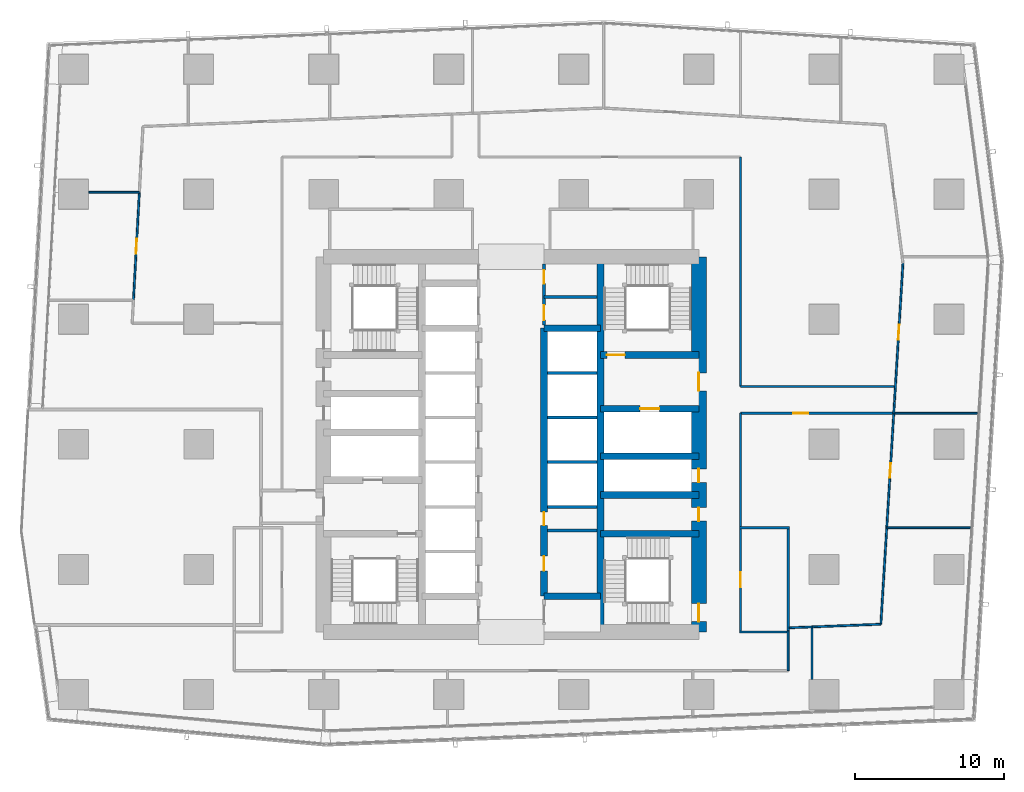
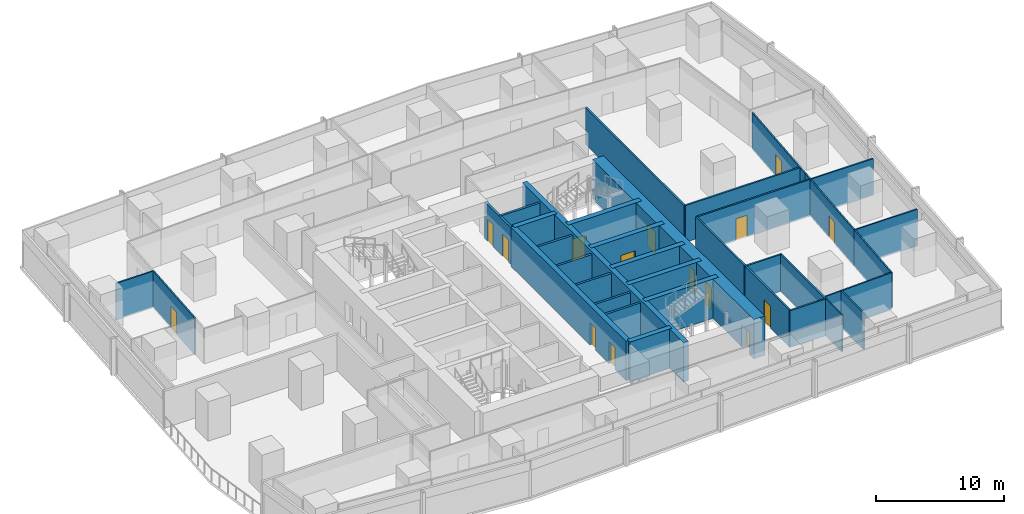
# One storey, part 27 of 36: 37 walls, 15 doors, 15 openings.
"""IFC4 building model written with IfcOpenShell, lengths in metres."""

import ifcopenshell
import ifcopenshell.guid

model = None  # the IFC model being written
_history = None  # IfcOwnerHistory: only IFC2X3 demands one
_inside = {}  # id of a spatial element -> (the spatial element, [elements in it])
_under = {}  # id of a project, library or spatial element -> (it, [spatial elements below it])
_declared = {}  # id of a project -> (the project, [libraries it declares])
_typed = {}  # id of a type object -> (the type object, [elements of that type])
_made_of = {}  # id of a material, layer set ... -> (it, [elements and type objects made of it])


def new_model(schema):
    """Start an empty IFC model of exactly this schema.

    Asked for "IFC4X3", IfcOpenShell would pick the latest addendum, in which some entities
    have other attributes; the version numbers below select the first issue.
    IFC2X3 requires an IfcOwnerHistory on every rooted entity: one is made here for all.
    """
    global model, _history
    if schema == "IFC4X3":
        model = ifcopenshell.file(schema_version=(4, 3, 0, 0))
    else:
        model = ifcopenshell.file(schema=schema)
    _inside.clear()
    _under.clear()
    _declared.clear()
    _typed.clear()
    _made_of.clear()
    _history = None
    if model.schema == "IFC2X3":
        org = make("IfcOrganization", Name="unknown")
        user = make(
            "IfcPersonAndOrganization",
            ThePerson=make("IfcPerson", FamilyName="unknown"),
            TheOrganization=org,
        )
        app = make(
            "IfcApplication",
            ApplicationDeveloper=org,
            Version="unknown",
            ApplicationFullName="unknown",
            ApplicationIdentifier="unknown",
        )
        _history = make(
            "IfcOwnerHistory",
            OwningUser=user,
            OwningApplication=app,
            ChangeAction="ADDED",
            CreationDate=0,
        )
    return model


def make(cls, **values):
    """One entity of the class cls with the attributes given. An attribute that is None is left unset."""
    return model.create_entity(
        cls, **{name: value for name, value in values.items() if value is not None}
    )


def rooted(cls, **values):
    """An entity with a GlobalId (a new one), such as an element, a storey or a relation."""
    return make(cls, GlobalId=ifcopenshell.guid.new(), OwnerHistory=_history, **values)


def si_unit(unit_type, name, prefix=None):
    """IfcSIUnit, for example si_unit("LENGTHUNIT", "METRE", prefix="MILLI")."""
    return make("IfcSIUnit", UnitType=unit_type, Prefix=prefix, Name=name)


def assignment(units):
    """IfcUnitAssignment: the units of a project."""
    return None if units is None else make("IfcUnitAssignment", Units=units)


def point(xyz):
    """IfcCartesianPoint."""
    return None if xyz is None else make("IfcCartesianPoint", Coordinates=xyz)


def direction(xyz):
    """IfcDirection."""
    return None if xyz is None else make("IfcDirection", DirectionRatios=xyz)


def frame(location, z_axis=None, x_axis=None):
    """IfcAxis2Placement3D, a coordinate frame: its origin and axes. An axis left out is left unset."""
    return make(
        "IfcAxis2Placement3D",
        Location=point(location),
        Axis=direction(z_axis),
        RefDirection=direction(x_axis),
    )


def frame_2d(location, x_axis=None):
    """IfcAxis2Placement2D, a coordinate frame in the plane: its origin and x axis."""
    return make(
        "IfcAxis2Placement2D", Location=point(location), RefDirection=direction(x_axis)
    )


def origin():
    """The frame at (0, 0, 0) with its axes left unset."""
    return frame((0.0, 0.0, 0.0))


def place(relative_to, where):
    """IfcLocalPlacement: puts the frame where relative to a parent placement (None: the world)."""
    return make(
        "IfcLocalPlacement", PlacementRelTo=relative_to, RelativePlacement=where
    )


def context(
    kind, dimensions, precision=None, world=None, true_north=None, identifier=None
):
    """IfcGeometricRepresentationContext, for example the 3D "Model" context."""
    return make(
        "IfcGeometricRepresentationContext",
        ContextIdentifier=identifier,
        ContextType=kind,
        CoordinateSpaceDimension=dimensions,
        Precision=precision,
        WorldCoordinateSystem=world,
        TrueNorth=true_north,
    )


def subcontext(parent, identifier, kind, view, scale=None):
    """IfcGeometricRepresentationSubContext, for example "Body" below "Model"."""
    return make(
        "IfcGeometricRepresentationSubContext",
        ContextIdentifier=identifier,
        ContextType=kind,
        ParentContext=parent,
        TargetScale=scale,
        TargetView=view,
    )


def project(units=None, contexts=None):
    """IfcProject with its units and contexts."""
    return rooted(
        "IfcProject",
        Name="project",
        RepresentationContexts=contexts,
        UnitsInContext=assignment(units),
    )


def spatial(cls, under=None, at=None, **own):
    """A site, building, storey or space (cls), placed at a placement, below another one or the project."""
    s = rooted(cls, ObjectPlacement=at, **own)
    if under is not None:
        _under.setdefault(under.id(), (under, []))[1].append(s)
    return s


def profile(cls, at=None, kind="AREA", **sizes):
    """A parametric profile (cls). Its sizes go by their IFC names, for example OverallWidth=200.0."""
    return make(cls, ProfileType=kind, Position=at, **sizes)


def rectangle(**sizes):
    """IfcRectangleProfileDef."""
    return profile("IfcRectangleProfileDef", **sizes)


def extrude(swept, where, along, depth):
    """IfcExtrudedAreaSolid: the profile swept, set in the frame where, extruded along a direction by depth."""
    return make(
        "IfcExtrudedAreaSolid",
        SweptArea=swept,
        Position=where,
        ExtrudedDirection=direction(along),
        Depth=depth,
    )


def shape(context_of_items, identifier, shape_type, items):
    """IfcShapeRepresentation: the items that make up one representation, for example the "Body"."""
    return make(
        "IfcShapeRepresentation",
        ContextOfItems=context_of_items,
        RepresentationIdentifier=identifier,
        RepresentationType=shape_type,
        Items=items,
    )


def material(Name=None, Category=None):
    """IfcMaterial."""
    return make("IfcMaterial", Name=Name, Category=Category)


def layer(
    of_material, thickness, ventilated=None, Name=None, Category=None, Priority=None
):
    """IfcMaterialLayer: one layer of a wall or slab, of a material (None: an air gap)."""
    return make(
        "IfcMaterialLayer",
        Material=of_material,
        LayerThickness=thickness,
        IsVentilated=ventilated,
        Name=Name,
        Category=Category,
        Priority=Priority,
    )


def layer_set(layers, Name=None):
    """IfcMaterialLayerSet."""
    return make("IfcMaterialLayerSet", MaterialLayers=layers, LayerSetName=Name)


def made_of(thing, what):
    """Note that an element or type object is made of a material, layer set ...; save() writes the relation."""
    if what is not None:
        _made_of.setdefault(what.id(), (what, []))[1].append(thing)
    return thing


def type_object(cls, material=None, **own):
    """A type object (cls), such as IfcWallType, which elements share."""
    return made_of(rooted(cls, **own), material)


def element(
    cls,
    number,
    at=None,
    inside=None,
    cuts=None,
    type_object=None,
    material=None,
    context=None,
    identifier="Body",
    shape_type=None,
    held_by="IfcProductDefinitionShape",
    body=None,
    shapes=None,
    **own,
):
    """One element of the class cls, such as IfcWall. Its Tag is "e" and its number.

    at: its placement. inside: the storey or other place that contains it. cuts: it is an
    opening in that element (IfcRelVoidsElement). A single representation is given by context,
    identifier, shape_type and body (its items); several are given by shapes. held_by: the class
    of the entity that holds the representations. save() writes the other relations.
    """
    e = rooted(cls, Tag="e%d" % number, ObjectPlacement=at, **own)
    if body is not None:
        shapes = [shape(context, identifier, shape_type, body)]
    if shapes is not None:
        e.Representation = make(held_by, Representations=shapes)
    if inside is not None:
        _inside.setdefault(inside.id(), (inside, []))[1].append(e)
    if cuts is not None:
        rooted(
            "IfcRelVoidsElement", RelatingBuildingElement=cuts, RelatedOpeningElement=e
        )
    if type_object is not None:
        _typed.setdefault(type_object.id(), (type_object, []))[1].append(e)
    return made_of(e, material)


def fill(opening, filler):
    """IfcRelFillsElement: the door or window that sits in an opening."""
    return rooted(
        "IfcRelFillsElement",
        RelatingOpeningElement=opening,
        RelatedBuildingElement=filler,
    )


def aggregate(whole, parts):
    """IfcRelAggregates: a whole, such as a stair, and the parts it consists of."""
    return rooted("IfcRelAggregates", RelatingObject=whole, RelatedObjects=parts)


def save(model, path):
    """Write the relations noted so far, then the file.

    IfcRelAggregates (storeys below a building ...), IfcRelContainedInSpatialStructure (elements
    in a storey), IfcRelDefinesByType, IfcRelAssociatesMaterial and IfcRelDeclares: one each for
    every whole, place, type object, material and project.
    """
    for whole, parts in _under.values():
        aggregate(whole, parts)
    for where, things in _inside.values():
        rooted(
            "IfcRelContainedInSpatialStructure",
            RelatedElements=things,
            RelatingStructure=where,
        )
    for kind, things in _typed.values():
        rooted("IfcRelDefinesByType", RelatedObjects=things, RelatingType=kind)
    for what, things in _made_of.values():
        rooted("IfcRelAssociatesMaterial", RelatedObjects=things, RelatingMaterial=what)
    for by, libraries in _declared.values():
        rooted("IfcRelDeclares", RelatingContext=by, RelatedDefinitions=libraries)
    model.write(path)


model = new_model("IFC4")

# Units and contexts
model_context = context("Model", 3, precision=1e-05, world=origin(), true_north=direction((0.0, 1.0)))
body_context = subcontext(model_context, "Body", "Model", "MODEL_VIEW")
ifc_project = project(units=[si_unit("LENGTHUNIT", "METRE"), si_unit("AREAUNIT", "SQUARE_METRE"), si_unit("VOLUMEUNIT", "CUBIC_METRE"), si_unit("PLANEANGLEUNIT", "RADIAN"), si_unit("MASSUNIT", "GRAM", prefix="KILO")], contexts=[model_context])

# Site, building, storey
site_placement = place(None, origin())
site = spatial("IfcSite", under=ifc_project, at=site_placement, CompositionType="ELEMENT")
building_placement = place(site_placement, origin())
building = spatial("IfcBuilding", under=site, at=building_placement, Name="Rekha Terrace Tower", CompositionType="ELEMENT")
storey_placement = place(building_placement, frame((0.0, 0.0, 144.050048828125)))
storey = spatial("IfcBuildingStorey", under=building, at=storey_placement, Name="L36", CompositionType="ELEMENT", Elevation=144.050048828125)

# Wall
ifc_material_1 = material(Name="Concrete M70", Category="concrete")
ifc_layer_1 = layer(ifc_material_1, 0.449951171875)
ifc_layer_set_1 = layer_set([ifc_layer_1], Name="Concrete M70")
wall_type_1 = type_object("IfcWallType", Name="CI2 450 core internal shear wall", PredefinedType="SHEAR", material=ifc_layer_set_1)
wall_1_placement = place(storey_placement, frame((43.800048828125, 21.0, 0.0), z_axis=(0.0, 0.0, 1.0), x_axis=(0.0, 1.0, 0.0)))
element("IfcWall", 1, at=wall_1_placement, inside=storey, type_object=wall_type_1, Name="Core wall X438 L36", PredefinedType="SHEAR", context=body_context, shape_type="SweptSolid", body=[
    extrude(rectangle(XDim=25.199951171875, YDim=0.449951171875, at=frame_2d((12.60009765625, 0.0))), origin(), (0.0, 0.0, 1.0), 3.75),
])

# Wall, openings, doors
wall_2_placement = place(storey_placement, frame((40.0, 23.39990234375, 0.0), z_axis=(0.0, 0.0, 1.0), x_axis=(0.0, 1.0, 0.0)))
wall_2 = element("IfcWall", 2, at=wall_2_placement, inside=storey, type_object=wall_type_1, Name="Core wall X400 L36", PredefinedType="SHEAR", context=body_context, shape_type="SweptSolid", body=[
    extrude(rectangle(XDim=18.0, YDim=0.449951171875, at=frame_2d((9.0, 0.0))), origin(), (0.0, 0.0, 1.0), 3.75),
])
opening_1_placement = place(wall_2_placement, frame((1.699951171875, 0.0, 0.0)))
opening_1 = element("IfcOpeningElement", 3, at=opening_1_placement, cuts=wall_2, Name="Opening D3", PredefinedType="OPENING", context=body_context, shape_type="SweptSolid", body=[
    extrude(rectangle(XDim=1.0, YDim=2.10009765625, at=frame_2d((0.5, 1.050048828125))), frame((0.0, 0.23486328125, 0.0), z_axis=(0.0, -1.0, 0.0), x_axis=(1.0, 0.0, 0.0)), (0.0, 0.0, 1.0), 0.469970703125),
])
opening_2_placement = place(wall_2_placement, frame((4.75, 0.0, 0.0)))
opening_2 = element("IfcOpeningElement", 4, at=opening_2_placement, cuts=wall_2, Name="Opening D5", PredefinedType="OPENING", context=body_context, shape_type="SweptSolid", body=[
    extrude(rectangle(XDim=0.89990234375, YDim=2.10009765625, at=frame_2d((0.449951171875, 1.050048828125))), frame((0.0, 0.23486328125, 0.0), z_axis=(0.0, -1.0, 0.0), x_axis=(1.0, 0.0, 0.0)), (0.0, 0.0, 1.0), 0.469970703125),
])
ifc_material_2 = material(Name="Laminated timber fire door", Category="wood")
door_type_1 = type_object("IfcDoorType", Name="D3 1000x2100 WC door", OperationType="SINGLE_SWING_LEFT", PredefinedType="DOOR", material=ifc_material_2)
door_1_placement = place(opening_1_placement, origin())
door_1 = element("IfcDoor", 5, at=door_1_placement, inside=storey, type_object=door_type_1, Name="Door staff wc L36", OperationType="SINGLE_SWING_LEFT", OverallHeight=2.10009765625, OverallWidth=1.0, PredefinedType="DOOR", context=body_context, shape_type="SweptSolid", body=[
    extrude(rectangle(XDim=1.0, YDim=2.10009765625, at=frame_2d((0.5, 1.050048828125))), frame((0.0, 0.02490234375, 0.0), z_axis=(0.0, -1.0, 0.0), x_axis=(1.0, 0.0, 0.0)), (0.0, 0.0, 1.0), 0.050048828125),
])
fill(opening_1, door_1)
ifc_material_3 = material(Name="Steel fire door", Category="steel")
door_type_2 = type_object("IfcDoorType", Name="D5 900x2100 riser access door", OperationType="SINGLE_SWING_LEFT", PredefinedType="DOOR", material=ifc_material_3)
door_2_placement = place(opening_2_placement, origin())
door_2 = element("IfcDoor", 6, at=door_2_placement, inside=storey, type_object=door_type_2, Name="Door records store L36", OperationType="SINGLE_SWING_LEFT", OverallHeight=2.10009765625, OverallWidth=0.89990234375, PredefinedType="DOOR", context=body_context, shape_type="SweptSolid", body=[
    extrude(rectangle(XDim=0.89990234375, YDim=2.10009765625, at=frame_2d((0.449951171875, 1.050048828125))), frame((0.0, 0.02490234375, 0.0), z_axis=(0.0, -1.0, 0.0), x_axis=(1.0, 0.0, 0.0)), (0.0, 0.0, 1.0), 0.050048828125),
])
fill(opening_2, door_2)

# Walls
for number, where, z_axis, x_axis, name in (
    (7, (40.0, 23.39990234375, 0.0), (0.0, 0.0, 1.0), (1.0, 0.0, 0.0), "Core wall Y234E L36"),
    (8, (40.0, 41.39990234375, 0.0), (0.0, 0.0, 1.0), (1.0, 0.0, 0.0), "Core wall Y414E L36"),
):
    element("IfcWall", number, at=place(storey_placement, frame(where, z_axis=z_axis, x_axis=x_axis)), inside=storey, type_object=wall_type_1, Name=name, PredefinedType="SHEAR", context=body_context, shape_type="SweptSolid", body=[
        extrude(rectangle(XDim=3.800048828125, YDim=0.449951171875, at=frame_2d((1.89990234375, 0.0))), origin(), (0.0, 0.0, 1.0), 3.75),
    ])
for number, where, z_axis, x_axis, name in (
    (9, (43.800048828125, 27.60009765625, 0.0), (0.0, 0.0, 1.0), (1.0, 0.0, 0.0), "Core wall Y276E L36"),
    (10, (43.800048828125, 30.199951171875, 0.0), (0.0, 0.0, 1.0), (1.0, 0.0, 0.0), "Core wall Y302E L36"),
    (11, (43.800048828125, 32.800048828125, 0.0), (0.0, 0.0, 1.0), (1.0, 0.0, 0.0), "Core wall Y328E L36"),
):
    element("IfcWall", number, at=place(storey_placement, frame(where, z_axis=z_axis, x_axis=x_axis)), inside=storey, type_object=wall_type_1, Name=name, PredefinedType="SHEAR", context=body_context, shape_type="SweptSolid", body=[
        extrude(rectangle(XDim=6.599853515625, YDim=0.449951171875, at=frame_2d((3.2998046875, 0.0))), origin(), (0.0, 0.0, 1.0), 3.75),
    ])

# Wall, opening, door
wall_3_placement = place(storey_placement, frame((43.800048828125, 36.0, 0.0), z_axis=(0.0, 0.0, 1.0), x_axis=(1.0, 0.0, 0.0)))
wall_3 = element("IfcWall", 12, at=wall_3_placement, inside=storey, type_object=wall_type_1, Name="Core wall Y360E L36", PredefinedType="SHEAR", context=body_context, shape_type="SweptSolid", body=[
    extrude(rectangle(XDim=6.599853515625, YDim=0.449951171875, at=frame_2d((3.2998046875, 0.0))), origin(), (0.0, 0.0, 1.0), 3.75),
])
opening_3_placement = place(wall_3_placement, frame((2.64990234375, 0.0, 0.0)))
opening_3 = element("IfcOpeningElement", 13, at=opening_3_placement, cuts=wall_3, Name="Opening LD2", PredefinedType="OPENING", context=body_context, shape_type="SweptSolid", body=[
    extrude(rectangle(XDim=1.300048828125, YDim=2.10009765625, at=frame_2d((0.64990234375, 1.050048828125))), frame((0.0, 0.23486328125, 0.0), z_axis=(0.0, -1.0, 0.0), x_axis=(1.0, 0.0, 0.0)), (0.0, 0.0, 1.0), 0.469970703125),
])
ifc_material_4 = material(Name="Stainless steel sliding landing door", Category="steel")
door_type_3 = type_object("IfcDoorType", Name="LD2 1300x2100 fire lift landing door", OperationType="SLIDING_TO_LEFT", PredefinedType="USERDEFINED", material=ifc_material_4)
door_3_placement = place(opening_3_placement, origin())
door_3 = element("IfcDoor", 14, at=door_3_placement, inside=storey, type_object=door_type_3, Name="Lift FL2 landing door L36", ObjectType="LIFT LANDING DOOR", OperationType="SLIDING_TO_LEFT", OverallHeight=2.10009765625, OverallWidth=1.300048828125, PredefinedType="USERDEFINED", context=body_context, shape_type="SweptSolid", body=[
    extrude(rectangle(XDim=1.300048828125, YDim=2.10009765625, at=frame_2d((0.64990234375, 1.050048828125))), frame((0.0, 0.02490234375, 0.0), z_axis=(0.0, -1.0, 0.0), x_axis=(1.0, 0.0, 0.0)), (0.0, 0.0, 1.0), 0.050048828125),
])
fill(opening_3, door_3)

wall_4_placement = place(storey_placement, frame((43.800048828125, 39.60009765625, 0.0), z_axis=(0.0, 0.0, 1.0), x_axis=(1.0, 0.0, 0.0)))
wall_4 = element("IfcWall", 15, at=wall_4_placement, inside=storey, type_object=wall_type_1, Name="Core wall Y396E L36", PredefinedType="SHEAR", context=body_context, shape_type="SweptSolid", body=[
    extrude(rectangle(XDim=6.599853515625, YDim=0.449951171875, at=frame_2d((3.2998046875, 0.0))), origin(), (0.0, 0.0, 1.0), 3.75),
])
opening_4_placement = place(wall_4_placement, frame((0.425048828125, 0.0, 0.0)))
opening_4 = element("IfcOpeningElement", 16, at=opening_4_placement, cuts=wall_4, Name="Opening D1", PredefinedType="OPENING", context=body_context, shape_type="SweptSolid", body=[
    extrude(rectangle(XDim=1.199951171875, YDim=2.10009765625, at=frame_2d((0.60009765625, 1.050048828125))), frame((0.0, 0.23486328125, 0.0), z_axis=(0.0, -1.0, 0.0), x_axis=(1.0, 0.0, 0.0)), (0.0, 0.0, 1.0), 0.469970703125),
])
door_type_4 = type_object("IfcDoorType", Name="D1 1200x2100 stair fire door", OperationType="SINGLE_SWING_RIGHT", PredefinedType="DOOR", material=ifc_material_3)
door_4_placement = place(opening_4_placement, origin())
door_4 = element("IfcDoor", 17, at=door_4_placement, inside=storey, type_object=door_type_4, Name="Stair ST2 door L36", OperationType="SINGLE_SWING_RIGHT", OverallHeight=2.10009765625, OverallWidth=1.199951171875, PredefinedType="DOOR", context=body_context, shape_type="SweptSolid", body=[
    extrude(rectangle(XDim=1.199951171875, YDim=2.10009765625, at=frame_2d((0.60009765625, 1.050048828125))), frame((0.0, 0.02490234375, 0.0), z_axis=(0.0, -1.0, 0.0), x_axis=(1.0, 0.0, 0.0)), (0.0, 0.0, 1.0), 0.050048828125),
])
fill(opening_4, door_4)

# Wall, openings, doors
ifc_layer_2 = layer(ifc_material_1, 1.0)
ifc_layer_set_2 = layer_set([ifc_layer_2], Name="Concrete M70")
wall_type_2 = type_object("IfcWallType", Name="SW2 1000 core outer shear wall", PredefinedType="SHEAR", material=ifc_layer_set_2)
wall_5_placement = place(storey_placement, frame((50.39990234375, 21.0, 0.0), z_axis=(0.0, 0.0, 1.0), x_axis=(0.0, 1.0, 0.0)))
wall_5 = element("IfcWall", 18, at=wall_5_placement, inside=storey, type_object=wall_type_2, Name="Core wall E L36", PredefinedType="SHEAR", context=body_context, shape_type="SweptSolid", body=[
    extrude(rectangle(XDim=25.199951171875, YDim=1.0, at=frame_2d((12.60009765625, 0.0))), origin(), (0.0, 0.0, 1.0), 3.75),
])
opening_5_placement = place(wall_5_placement, frame((16.199951171875, 0.0, 0.0)))
opening_5 = element("IfcOpeningElement", 19, at=opening_5_placement, cuts=wall_5, Name="Opening D2", PredefinedType="OPENING", context=body_context, shape_type="SweptSolid", body=[
    extrude(rectangle(XDim=1.199951171875, YDim=2.10009765625, at=frame_2d((0.60009765625, 1.050048828125))), frame((0.0, 0.510009765625, 0.0), z_axis=(0.0, -1.0, 0.0), x_axis=(1.0, 0.0, 0.0)), (0.0, 0.0, 1.0), 1.02001953125),
])
opening_6_placement = place(wall_5_placement, frame((10.050048828125, 0.0, 0.0)))
opening_6 = element("IfcOpeningElement", 20, at=opening_6_placement, cuts=wall_5, Name="Opening D5", PredefinedType="OPENING", context=body_context, shape_type="SweptSolid", body=[
    extrude(rectangle(XDim=0.89990234375, YDim=2.10009765625, at=frame_2d((0.449951171875, 1.050048828125))), frame((0.0, 0.510009765625, 0.0), z_axis=(0.0, -1.0, 0.0), x_axis=(1.0, 0.0, 0.0)), (0.0, 0.0, 1.0), 1.02001953125),
])
opening_7_placement = place(wall_5_placement, frame((7.449951171875, 0.0, 0.0)))
opening_7 = element("IfcOpeningElement", 21, at=opening_7_placement, cuts=wall_5, Name="Opening D5", PredefinedType="OPENING", context=body_context, shape_type="SweptSolid", body=[
    extrude(rectangle(XDim=0.89990234375, YDim=2.10009765625, at=frame_2d((0.449951171875, 1.050048828125))), frame((0.0, 0.510009765625, 0.0), z_axis=(0.0, -1.0, 0.0), x_axis=(1.0, 0.0, 0.0)), (0.0, 0.0, 1.0), 1.02001953125),
])
opening_8_placement = place(wall_5_placement, frame((0.699951171875, 0.0, 0.0)))
opening_8 = element("IfcOpeningElement", 22, at=opening_8_placement, cuts=wall_5, Name="Opening D1", PredefinedType="OPENING", context=body_context, shape_type="SweptSolid", body=[
    extrude(rectangle(XDim=1.199951171875, YDim=2.10009765625, at=frame_2d((0.60009765625, 1.050048828125))), frame((0.0, 0.510009765625, 0.0), z_axis=(0.0, -1.0, 0.0), x_axis=(1.0, 0.0, 0.0)), (0.0, 0.0, 1.0), 1.02001953125),
])
door_5_placement = place(opening_8_placement, origin())
door_5 = element("IfcDoor", 23, at=door_5_placement, inside=storey, type_object=door_type_4, Name="Stair ST3 door L36", OperationType="SINGLE_SWING_RIGHT", OverallHeight=2.10009765625, OverallWidth=1.199951171875, PredefinedType="DOOR", context=body_context, shape_type="SweptSolid", body=[
    extrude(rectangle(XDim=1.199951171875, YDim=2.10009765625, at=frame_2d((0.60009765625, 1.050048828125))), frame((0.0, 0.02490234375, 0.0), z_axis=(0.0, -1.0, 0.0), x_axis=(1.0, 0.0, 0.0)), (0.0, 0.0, 1.0), 0.050048828125),
])
fill(opening_8, door_5)
door_type_5 = type_object("IfcDoorType", Name="D2 1200x2100 firefighting lobby door", OperationType="SINGLE_SWING_LEFT", PredefinedType="DOOR", material=ifc_material_3)
door_6_placement = place(opening_5_placement, origin())
door_6 = element("IfcDoor", 24, at=door_6_placement, inside=storey, type_object=door_type_5, Name="Door flb2 L36", OperationType="SINGLE_SWING_LEFT", OverallHeight=2.10009765625, OverallWidth=1.199951171875, PredefinedType="DOOR", context=body_context, shape_type="SweptSolid", body=[
    extrude(rectangle(XDim=1.199951171875, YDim=2.10009765625, at=frame_2d((0.60009765625, 1.050048828125))), frame((0.0, 0.02490234375, 0.0), z_axis=(0.0, -1.0, 0.0), x_axis=(1.0, 0.0, 0.0)), (0.0, 0.0, 1.0), 0.050048828125),
])
fill(opening_5, door_6)
door_7_placement = place(opening_6_placement, origin())
door_7 = element("IfcDoor", 25, at=door_7_placement, inside=storey, type_object=door_type_2, Name="Door rs2 L36", OperationType="SINGLE_SWING_LEFT", OverallHeight=2.10009765625, OverallWidth=0.89990234375, PredefinedType="DOOR", context=body_context, shape_type="SweptSolid", body=[
    extrude(rectangle(XDim=0.89990234375, YDim=2.10009765625, at=frame_2d((0.449951171875, 1.050048828125))), frame((0.0, 0.02490234375, 0.0), z_axis=(0.0, -1.0, 0.0), x_axis=(1.0, 0.0, 0.0)), (0.0, 0.0, 1.0), 0.050048828125),
])
fill(opening_6, door_7)
door_8_placement = place(opening_7_placement, origin())
door_8 = element("IfcDoor", 26, at=door_8_placement, inside=storey, type_object=door_type_2, Name="Door ele L36", OperationType="SINGLE_SWING_LEFT", OverallHeight=2.10009765625, OverallWidth=0.89990234375, PredefinedType="DOOR", context=body_context, shape_type="SweptSolid", body=[
    extrude(rectangle(XDim=0.89990234375, YDim=2.10009765625, at=frame_2d((0.449951171875, 1.050048828125))), frame((0.0, 0.02490234375, 0.0), z_axis=(0.0, -1.0, 0.0), x_axis=(1.0, 0.0, 0.0)), (0.0, 0.0, 1.0), 0.050048828125),
])
fill(opening_7, door_8)

# Walls
ifc_material_5 = material(Name="Concrete block masonry, 1 hour", Category="masonry")
ifc_layer_3 = layer(ifc_material_5, 0.14990234375)
ifc_layer_set_3 = layer_set([ifc_layer_3], Name="Concrete block masonry, 1 hour")
wall_type_3 = type_object("IfcWallType", Name="WP2 150 tenancy partition", PredefinedType="PARTITIONING", material=ifc_layer_set_3)
for number, where, z_axis, x_axis, name in (
    (27, (53.125, 21.0, 0.0), (0.0, 0.0, 1.0), (1.0, 0.0, 0.0), "Men's WC wall L36"),
    (28, (53.125, 28.0, 0.0), (0.0, 0.0, 1.0), (1.0, 0.0, 0.0), "Men's WC wall L36"),
):
    element("IfcWall", number, at=place(storey_placement, frame(where, z_axis=z_axis, x_axis=x_axis)), inside=storey, type_object=wall_type_3, Name=name, PredefinedType="PARTITIONING", context=body_context, shape_type="SweptSolid", body=[
        extrude(rectangle(XDim=3.35009765625, YDim=0.14990234375, at=frame_2d((1.675048828125, 0.0))), origin(), (0.0, 0.0, 1.0), 3.5),
    ])

# Wall, opening, door
wall_6_placement = place(storey_placement, frame((53.199951171875, 21.074951171875, 0.0), z_axis=(0.0, 0.0, 1.0), x_axis=(0.0, 1.0, 0.0)))
wall_6 = element("IfcWall", 29, at=wall_6_placement, inside=storey, type_object=wall_type_3, Name="Men's WC wall L36", PredefinedType="PARTITIONING", context=body_context, shape_type="SweptSolid", body=[
    extrude(rectangle(XDim=6.85009765625, YDim=0.14990234375, at=frame_2d((3.425048828125, 0.0))), origin(), (0.0, 0.0, 1.0), 3.5),
])
opening_9_placement = place(wall_6_placement, frame((2.925048828125, 0.0, 0.0)))
opening_9 = element("IfcOpeningElement", 30, at=opening_9_placement, cuts=wall_6, Name="Opening D3", PredefinedType="OPENING", context=body_context, shape_type="SweptSolid", body=[
    extrude(rectangle(XDim=1.0, YDim=2.10009765625, at=frame_2d((0.5, 1.050048828125))), frame((0.0, 0.0849609375, 0.0), z_axis=(0.0, -1.0, 0.0), x_axis=(1.0, 0.0, 0.0)), (0.0, 0.0, 1.0), 0.169921875),
])
door_9_placement = place(opening_9_placement, origin())
door_9 = element("IfcDoor", 31, at=door_9_placement, inside=storey, type_object=door_type_1, Name="Door men's wc L36", OperationType="SINGLE_SWING_LEFT", OverallHeight=2.10009765625, OverallWidth=1.0, PredefinedType="DOOR", context=body_context, shape_type="SweptSolid", body=[
    extrude(rectangle(XDim=1.0, YDim=2.10009765625, at=frame_2d((0.5, 1.050048828125))), frame((0.0, 0.02490234375, 0.0), z_axis=(0.0, -1.0, 0.0), x_axis=(1.0, 0.0, 0.0)), (0.0, 0.0, 1.0), 0.050048828125),
])
fill(opening_9, door_9)

# Walls
wall_7_placement = place(storey_placement, frame((56.39990234375, 21.074951171875, 0.0), z_axis=(0.0, 0.0, 1.0), x_axis=(0.0, 1.0, 0.0)))
element("IfcWall", 32, at=wall_7_placement, inside=storey, type_object=wall_type_3, Name="Men's WC wall L36", PredefinedType="PARTITIONING", context=body_context, shape_type="SweptSolid", body=[
    extrude(rectangle(XDim=6.85009765625, YDim=0.14990234375, at=frame_2d((3.425048828125, 0.0))), origin(), (0.0, 0.0, 1.0), 3.5),
])
wall_8_placement = place(storey_placement, frame((63.54296875, 37.489990234375, 0.0), z_axis=(0.0, 0.0, 1.0), x_axis=(-1.0, 0.0, 0.0)))
element("IfcWall", 33, at=wall_8_placement, inside=storey, type_object=wall_type_3, Name="Partition L36-O1", PredefinedType="PARTITIONING", context=body_context, shape_type="SweptSolid", body=[
    extrude(rectangle(XDim=10.343017578125, YDim=0.14990234375, at=frame_2d((5.17138671875, 0.0))), origin(), (0.0, 0.0, 1.0), 3.5),
])
wall_9_placement = place(storey_placement, frame((53.199951171875, 37.489990234375, 0.0), z_axis=(0.0, 0.0, 1.0), x_axis=(0.0, 1.0, 0.0)))
element("IfcWall", 34, at=wall_9_placement, inside=storey, type_object=wall_type_3, Name="Partition L36-O1", PredefinedType="PARTITIONING", context=body_context, shape_type="SweptSolid", body=[
    extrude(rectangle(XDim=15.409912109375, YDim=0.14990234375, at=frame_2d((7.705078125, 0.0))), origin(), (0.0, 0.0, 1.0), 3.5),
])
wall_10_placement = place(storey_placement, frame((58.010009765625, 17.820068359375, 0.0), z_axis=(0.0, 0.0, 1.0), x_axis=(0.0, 1.0, 0.0)))
element("IfcWall", 35, at=wall_10_placement, inside=storey, type_object=wall_type_3, Name="Partition L36-O1b", PredefinedType="PARTITIONING", context=body_context, shape_type="SweptSolid", body=[
    extrude(rectangle(XDim=3.454833984375, YDim=0.14990234375, at=frame_2d((1.7275390625, 0.0))), origin(), (0.0, 0.0, 1.0), 3.5),
])
wall_11_placement = place(storey_placement, frame((53.199951171875, 28.074951171875, 0.0), z_axis=(0.0, 0.0, 1.0), x_axis=(0.0, 1.0, 0.0)))
element("IfcWall", 36, at=wall_11_placement, inside=storey, type_object=wall_type_3, Name="Partition L36-O1b", PredefinedType="PARTITIONING", context=body_context, shape_type="SweptSolid", body=[
    extrude(rectangle(XDim=7.614990234375, YDim=0.14990234375, at=frame_2d((3.8076171875, 0.0))), origin(), (0.0, 0.0, 1.0), 3.5),
])

# Wall, opening, door
wall_12_placement = place(storey_placement, frame((53.199951171875, 35.68994140625, 0.0), z_axis=(0.0, 0.0, 1.0), x_axis=(1.0, 0.0, 0.0)))
wall_12 = element("IfcWall", 37, at=wall_12_placement, inside=storey, type_object=wall_type_3, Name="Partition L36-O1b", PredefinedType="PARTITIONING", context=body_context, shape_type="SweptSolid", body=[
    extrude(rectangle(XDim=10.24609375, YDim=0.14990234375, at=frame_2d((5.123046875, 0.0))), origin(), (0.0, 0.0, 1.0), 3.5),
])
opening_10_placement = place(wall_12_placement, frame((3.547119140625, 0.0, 0.0)))
opening_10 = element("IfcOpeningElement", 38, at=opening_10_placement, cuts=wall_12, Name="Opening D9", PredefinedType="OPENING", context=body_context, shape_type="SweptSolid", body=[
    extrude(rectangle(XDim=1.0, YDim=2.10009765625, at=frame_2d((0.5, 1.050048828125))), frame((0.0, 0.0849609375, 0.0), z_axis=(0.0, -1.0, 0.0), x_axis=(1.0, 0.0, 0.0)), (0.0, 0.0, 1.0), 0.169921875),
])
ifc_material_6 = material(Name="Timber fire door", Category="wood")
door_type_6 = type_object("IfcDoorType", Name="D9 1000x2100 office door", OperationType="SINGLE_SWING_LEFT", PredefinedType="DOOR", material=ifc_material_6)
door_10_placement = place(opening_10_placement, origin())
door_10 = element("IfcDoor", 39, at=door_10_placement, inside=storey, type_object=door_type_6, Name="Door open-plan office L36", OperationType="SINGLE_SWING_LEFT", OverallHeight=2.10009765625, OverallWidth=1.0, PredefinedType="DOOR", context=body_context, shape_type="SweptSolid", body=[
    extrude(rectangle(XDim=1.0, YDim=2.10009765625, at=frame_2d((0.5, 1.050048828125))), frame((0.0, 0.02490234375, 0.0), z_axis=(0.0, -1.0, 0.0), x_axis=(1.0, 0.0, 0.0)), (0.0, 0.0, 1.0), 0.050048828125),
])
fill(opening_10, door_10)

# Walls
ifc_material_7 = material(Name="Two layers of fire-rated gypsum board each side on steel studs, acoustic quilt, 1 hour", Category="steel")
ifc_layer_4 = layer(ifc_material_7, 0.125)
ifc_layer_set_4 = layer_set([ifc_layer_4], Name="Two layers of fire-rated gypsum board each side on steel studs, acoustic quilt, 1 hour")
wall_type_4 = type_object("IfcWallType", Name="WP3 125 office partition", PredefinedType="PARTITIONING", material=ifc_layer_set_4)
wall_13_placement = place(storey_placement, frame((56.39990234375, 18.39990234375, 0.0), z_axis=(0.0, 0.0, 1.0), x_axis=(0.0, 1.0, 0.0)))
element("IfcWall", 40, at=wall_13_placement, inside=storey, type_object=wall_type_4, Name="Partition L36-02", PredefinedType="PARTITIONING", context=body_context, shape_type="SweptSolid", body=[
    extrude(rectangle(XDim=2.674072265625, YDim=0.125, at=frame_2d((1.3369140625, 0.0))), origin(), (0.0, 0.0, 1.0), 3.5),
])
wall_14_placement = place(storey_placement, frame((56.47509765625, 21.278076171875, 0.0), z_axis=(0.0, 0.0, 1.0), x_axis=(0.999243484795, 0.038890334198, 0.0)))
element("IfcWall", 41, at=wall_14_placement, inside=storey, type_object=wall_type_4, Name="Partition L36-02", PredefinedType="PARTITIONING", context=body_context, shape_type="SweptSolid", body=[
    extrude(rectangle(XDim=1.5380859375, YDim=0.125, at=frame_2d((0.76904296875, 0.0))), origin(), (0.0, 0.0, 1.0), 3.5),
])
wall_15_placement = place(storey_placement, frame((58.011962890625, 21.337890625, 0.0), z_axis=(0.0, 0.0, 1.0), x_axis=(0.999246974146, 0.038800575518, 0.0)))
element("IfcWall", 42, at=wall_15_placement, inside=storey, type_object=wall_type_4, Name="Partition L36-02", PredefinedType="PARTITIONING", context=body_context, shape_type="SweptSolid", body=[
    extrude(rectangle(XDim=4.618408203125, YDim=0.125, at=frame_2d((2.30908203125, 0.0))), origin(), (0.0, 0.0, 1.0), 3.5),
])
wall_16_placement = place(storey_placement, frame((62.626953125, 21.51708984375, 0.0), z_axis=(0.0, 0.0, 1.0), x_axis=(0.061146763842, 0.998128785915, 0.0)))
element("IfcWall", 43, at=wall_16_placement, inside=storey, type_object=wall_type_4, Name="Partition L36-02", PredefinedType="PARTITIONING", context=body_context, shape_type="SweptSolid", body=[
    extrude(rectangle(XDim=6.4921875, YDim=0.125, at=frame_2d((3.24609375, 0.0))), origin(), (0.0, 0.0, 1.0), 3.5),
])
wall_17_placement = place(storey_placement, frame((63.02392578125, 27.9970703125, 0.0), z_axis=(0.0, 0.0, 1.0), x_axis=(1.0, 0.0, 0.0)))
element("IfcWall", 44, at=wall_17_placement, inside=storey, type_object=wall_type_4, Name="Partition L36-02", PredefinedType="PARTITIONING", context=body_context, shape_type="SweptSolid", body=[
    extrude(rectangle(XDim=5.631103515625, YDim=0.125, at=frame_2d((2.8154296875, 0.0))), origin(), (0.0, 0.0, 1.0), 3.5),
])

# Wall, opening, door
wall_18_placement = place(storey_placement, frame((63.02392578125, 27.998046875, 0.0), z_axis=(0.0, 0.0, 1.0), x_axis=(0.061174508596, 0.998127085845, 0.0)))
wall_18 = element("IfcWall", 45, at=wall_18_placement, inside=storey, type_object=wall_type_4, Name="Partition L36-03", PredefinedType="PARTITIONING", context=body_context, shape_type="SweptSolid", body=[
    extrude(rectangle(XDim=7.702392578125, YDim=0.125, at=frame_2d((3.85107421875, 0.0))), origin(), (0.0, 0.0, 1.0), 3.5),
])
opening_11_placement = place(wall_18_placement, frame((3.35107421875, 0.0, 0.0)))
opening_11 = element("IfcOpeningElement", 46, at=opening_11_placement, cuts=wall_18, Name="Opening D9", PredefinedType="OPENING", context=body_context, shape_type="SweptSolid", body=[
    extrude(rectangle(XDim=1.0, YDim=2.10009765625, at=frame_2d((0.5, 1.050048828125))), frame((0.0, 0.072509765625, 0.0), z_axis=(0.0, -1.0, 0.0), x_axis=(1.0, 0.0, 0.0)), (0.0, 0.0, 1.0), 0.14501953125),
])
door_11_placement = place(opening_11_placement, origin())
door_11 = element("IfcDoor", 47, at=door_11_placement, inside=storey, type_object=door_type_6, Name="Door office L36", OperationType="SINGLE_SWING_LEFT", OverallHeight=2.10009765625, OverallWidth=1.0, PredefinedType="DOOR", context=body_context, shape_type="SweptSolid", body=[
    extrude(rectangle(XDim=1.0, YDim=2.10009765625, at=frame_2d((0.5, 1.050048828125))), frame((0.0, 0.02490234375, 0.0), z_axis=(0.0, -1.0, 0.0), x_axis=(1.0, 0.0, 0.0)), (0.0, 0.0, 1.0), 0.050048828125),
])
fill(opening_11, door_11)

# Wall
wall_19_placement = place(storey_placement, frame((63.4951171875, 35.68603515625, 0.0), z_axis=(0.0, 0.0, 1.0), x_axis=(1.0, 0.0, 0.0)))
element("IfcWall", 48, at=wall_19_placement, inside=storey, type_object=wall_type_4, Name="Partition L36-03", PredefinedType="PARTITIONING", context=body_context, shape_type="SweptSolid", body=[
    extrude(rectangle(XDim=5.630859375, YDim=0.125, at=frame_2d((2.8154296875, 0.0))), origin(), (0.0, 0.0, 1.0), 3.5),
])

# Wall, opening, door
wall_20_placement = place(storey_placement, frame((63.5439453125, 36.490966796875, 0.0), z_axis=(0.0, 0.0, 1.0), x_axis=(0.061169286548, 0.998127405887, 0.0)))
wall_20 = element("IfcWall", 49, at=wall_20_placement, inside=storey, type_object=wall_type_4, Name="Partition L36-04", PredefinedType="PARTITIONING", context=body_context, shape_type="SweptSolid", body=[
    extrude(rectangle(XDim=9.303466796875, YDim=0.125, at=frame_2d((4.65185546875, 0.0))), origin(), (0.0, 0.0, 1.0), 3.5),
])
opening_12_placement = place(wall_20_placement, frame((4.152099609375, 0.0, 0.0)))
opening_12 = element("IfcOpeningElement", 50, at=opening_12_placement, cuts=wall_20, Name="Opening D9", PredefinedType="OPENING", context=body_context, shape_type="SweptSolid", body=[
    extrude(rectangle(XDim=1.0, YDim=2.10009765625, at=frame_2d((0.5, 1.050048828125))), frame((0.0, 0.072509765625, 0.0), z_axis=(0.0, -1.0, 0.0), x_axis=(1.0, 0.0, 0.0)), (0.0, 0.0, 1.0), 0.14501953125),
])
door_12_placement = place(opening_12_placement, origin())
door_12 = element("IfcDoor", 51, at=door_12_placement, inside=storey, type_object=door_type_6, Name="Door office L36", OperationType="SINGLE_SWING_LEFT", OverallHeight=2.10009765625, OverallWidth=1.0, PredefinedType="DOOR", context=body_context, shape_type="SweptSolid", body=[
    extrude(rectangle(XDim=1.0, YDim=2.10009765625, at=frame_2d((0.5, 1.050048828125))), frame((0.0, 0.02490234375, 0.0), z_axis=(0.0, -1.0, 0.0), x_axis=(1.0, 0.0, 0.0)), (0.0, 0.0, 1.0), 0.050048828125),
])
fill(opening_12, door_12)

# Walls
wall_21_placement = place(storey_placement, frame((63.4951171875, 35.68701171875, 0.0), z_axis=(0.0, 0.0, 1.0), x_axis=(0.060623183924, 0.998160723316, 0.0)))
element("IfcWall", 52, at=wall_21_placement, inside=storey, type_object=wall_type_4, Name="Partition L36-04", PredefinedType="PARTITIONING", context=body_context, shape_type="SweptSolid", body=[
    extrude(rectangle(XDim=0.805419921875, YDim=0.125, at=frame_2d((0.40283203125, 0.0))), origin(), (0.0, 0.0, 1.0), 3.5),
])
wall_22_placement = place(storey_placement, frame((12.818115234375, 50.531005859375, 0.0), z_axis=(0.0, 0.0, 1.0), x_axis=(-1.0, 0.0, 0.0)))
element("IfcWall", 53, at=wall_22_placement, inside=storey, type_object=wall_type_4, Name="Partition L36-13", PredefinedType="PARTITIONING", context=body_context, shape_type="SweptSolid", body=[
    extrude(rectangle(XDim=3.398193359375, YDim=0.125, at=frame_2d((1.69921875, 0.0))), origin(), (0.0, 0.0, 1.0), 3.5),
])

# Wall, opening, door
wall_23_placement = place(storey_placement, frame((12.818115234375, 50.530029296875, 0.0), z_axis=(0.0, 0.0, 1.0), x_axis=(-0.054759793003, -0.99849955687, 0.0)))
wall_23 = element("IfcWall", 54, at=wall_23_placement, inside=storey, type_object=wall_type_4, Name="Partition L36-14", PredefinedType="PARTITIONING", context=body_context, shape_type="SweptSolid", body=[
    extrude(rectangle(XDim=7.25390625, YDim=0.125, at=frame_2d((3.626953125, 0.0))), origin(), (0.0, 0.0, 1.0), 3.5),
])
opening_13_placement = place(wall_23_placement, frame((3.126953125, 0.0, 0.0)))
opening_13 = element("IfcOpeningElement", 55, at=opening_13_placement, cuts=wall_23, Name="Opening D9", PredefinedType="OPENING", context=body_context, shape_type="SweptSolid", body=[
    extrude(rectangle(XDim=1.0, YDim=2.10009765625, at=frame_2d((0.5, 1.050048828125))), frame((0.0, 0.072509765625, 0.0), z_axis=(0.0, -1.0, 0.0), x_axis=(1.0, 0.0, 0.0)), (0.0, 0.0, 1.0), 0.14501953125),
])
door_13_placement = place(opening_13_placement, origin())
door_13 = element("IfcDoor", 56, at=door_13_placement, inside=storey, type_object=door_type_6, Name="Door office L36", OperationType="SINGLE_SWING_LEFT", OverallHeight=2.10009765625, OverallWidth=1.0, PredefinedType="DOOR", context=body_context, shape_type="SweptSolid", body=[
    extrude(rectangle(XDim=1.0, YDim=2.10009765625, at=frame_2d((0.5, 1.050048828125))), frame((0.0, 0.02490234375, 0.0), z_axis=(0.0, -1.0, 0.0), x_axis=(1.0, 0.0, 0.0)), (0.0, 0.0, 1.0), 0.050048828125),
])
fill(opening_13, door_13)

# Walls
ifc_material_8 = material(Name="Solid concrete block masonry, 2 hour", Category="masonry")
ifc_layer_5 = layer(ifc_material_8, 0.199951171875)
ifc_layer_set_5 = layer_set([ifc_layer_5], Name="Solid concrete block masonry, 2 hour")
wall_type_5 = type_object("IfcWallType", Name="WS1 200 stair and shaft enclosure", PredefinedType="PARTITIONING", material=ifc_layer_set_5)
for number, where, z_axis, x_axis, name in (
    (57, (40.22509765625, 29.39990234375, 0.0), (0.0, 0.0, 1.0), (1.0, 0.0, 0.0), "Lift shaft divider L36"),
    (58, (40.22509765625, 32.39990234375, 0.0), (0.0, 0.0, 1.0), (1.0, 0.0, 0.0), "Lift shaft divider L36"),
    (59, (40.22509765625, 35.39990234375, 0.0), (0.0, 0.0, 1.0), (1.0, 0.0, 0.0), "Lift shaft divider L36"),
    (60, (40.22509765625, 38.39990234375, 0.0), (0.0, 0.0, 1.0), (1.0, 0.0, 0.0), "Lift shaft divider L36"),
):
    element("IfcWall", number, at=place(storey_placement, frame(where, z_axis=z_axis, x_axis=x_axis)), inside=storey, type_object=wall_type_5, Name=name, PredefinedType="PARTITIONING", context=body_context, shape_type="SweptSolid", body=[
        extrude(rectangle(XDim=3.349853515625, YDim=0.199951171875, at=frame_2d((1.6748046875, 0.0))), origin(), (0.0, 0.0, 1.0), 3.5),
    ])

# Wall, openings, doors
wall_24_placement = place(storey_placement, frame((40.0, 41.625, 0.0), z_axis=(0.0, 0.0, 1.0), x_axis=(0.0, 1.0, 0.0)))
wall_24 = element("IfcWall", 61, at=wall_24_placement, inside=storey, type_object=wall_type_5, Name="Core partition elec L36", PredefinedType="PARTITIONING", context=body_context, shape_type="SweptSolid", body=[
    extrude(rectangle(XDim=4.074951171875, YDim=0.199951171875, at=frame_2d((2.03759765625, 0.0))), origin(), (0.0, 0.0, 1.0), 3.5),
])
opening_14_placement = place(wall_24_placement, frame((2.77490234375, 0.0, 0.0)))
opening_14 = element("IfcOpeningElement", 62, at=opening_14_placement, cuts=wall_24, Name="Opening D5", PredefinedType="OPENING", context=body_context, shape_type="SweptSolid", body=[
    extrude(rectangle(XDim=0.89990234375, YDim=2.10009765625, at=frame_2d((0.449951171875, 1.050048828125))), frame((0.0, 0.10986328125, 0.0), z_axis=(0.0, -1.0, 0.0), x_axis=(1.0, 0.0, 0.0)), (0.0, 0.0, 1.0), 0.219970703125),
])
opening_15_placement = place(wall_24_placement, frame((0.324951171875, 0.0, 0.0)))
opening_15 = element("IfcOpeningElement", 63, at=opening_15_placement, cuts=wall_24, Name="Opening D9", PredefinedType="OPENING", context=body_context, shape_type="SweptSolid", body=[
    extrude(rectangle(XDim=1.0, YDim=2.10009765625, at=frame_2d((0.5, 1.050048828125))), frame((0.0, 0.10986328125, 0.0), z_axis=(0.0, -1.0, 0.0), x_axis=(1.0, 0.0, 0.0)), (0.0, 0.0, 1.0), 0.219970703125),
])
door_14_placement = place(opening_14_placement, origin())
door_14 = element("IfcDoor", 64, at=door_14_placement, inside=storey, type_object=door_type_2, Name="Door electrical room L36", OperationType="SINGLE_SWING_LEFT", OverallHeight=2.10009765625, OverallWidth=0.89990234375, PredefinedType="DOOR", context=body_context, shape_type="SweptSolid", body=[
    extrude(rectangle(XDim=0.89990234375, YDim=2.10009765625, at=frame_2d((0.449951171875, 1.050048828125))), frame((0.0, 0.02490234375, 0.0), z_axis=(0.0, -1.0, 0.0), x_axis=(1.0, 0.0, 0.0)), (0.0, 0.0, 1.0), 0.050048828125),
])
fill(opening_14, door_14)
door_15_placement = place(opening_15_placement, origin())
door_15 = element("IfcDoor", 65, at=door_15_placement, inside=storey, type_object=door_type_6, Name="Door mail and print room L36", OperationType="SINGLE_SWING_LEFT", OverallHeight=2.10009765625, OverallWidth=1.0, PredefinedType="DOOR", context=body_context, shape_type="SweptSolid", body=[
    extrude(rectangle(XDim=1.0, YDim=2.10009765625, at=frame_2d((0.5, 1.050048828125))), frame((0.0, 0.02490234375, 0.0), z_axis=(0.0, -1.0, 0.0), x_axis=(1.0, 0.0, 0.0)), (0.0, 0.0, 1.0), 0.050048828125),
])
fill(opening_15, door_15)

# Walls
wall_25_placement = place(storey_placement, frame((40.22509765625, 27.800048828125, 0.0), z_axis=(0.0, 0.0, 1.0), x_axis=(1.0, 0.0, 0.0)))
element("IfcWall", 66, at=wall_25_placement, inside=storey, type_object=wall_type_5, Name="Core partition freed shafts L36", PredefinedType="PARTITIONING", context=body_context, shape_type="SweptSolid", body=[
    extrude(rectangle(XDim=3.349853515625, YDim=0.199951171875, at=frame_2d((1.6748046875, 0.0))), origin(), (0.0, 0.0, 1.0), 3.5),
])
wall_26_placement = place(storey_placement, frame((40.0, 43.5, 0.0), z_axis=(0.0, 0.0, 1.0), x_axis=(1.0, 0.0, 0.0)))
element("IfcWall", 67, at=wall_26_placement, inside=storey, type_object=wall_type_5, Name="Core partition elx L36", PredefinedType="PARTITIONING", context=body_context, shape_type="SweptSolid", body=[
    extrude(rectangle(XDim=3.574951171875, YDim=0.199951171875, at=frame_2d((1.78759765625, 0.0))), origin(), (0.0, 0.0, 1.0), 3.5),
])

save(model, "model.ifc")
